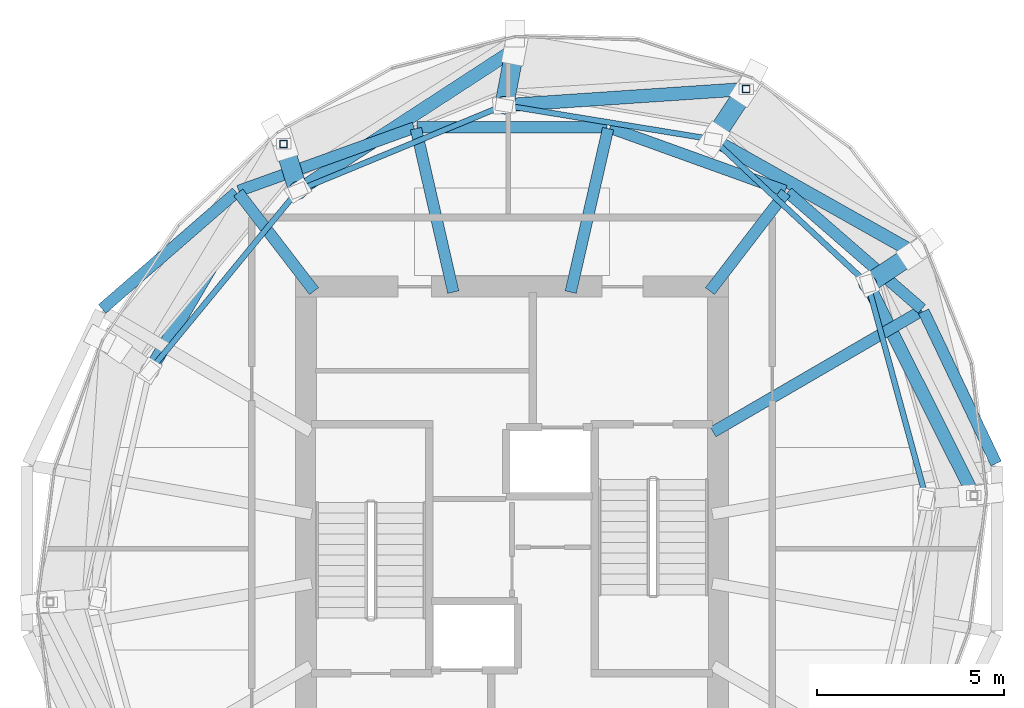
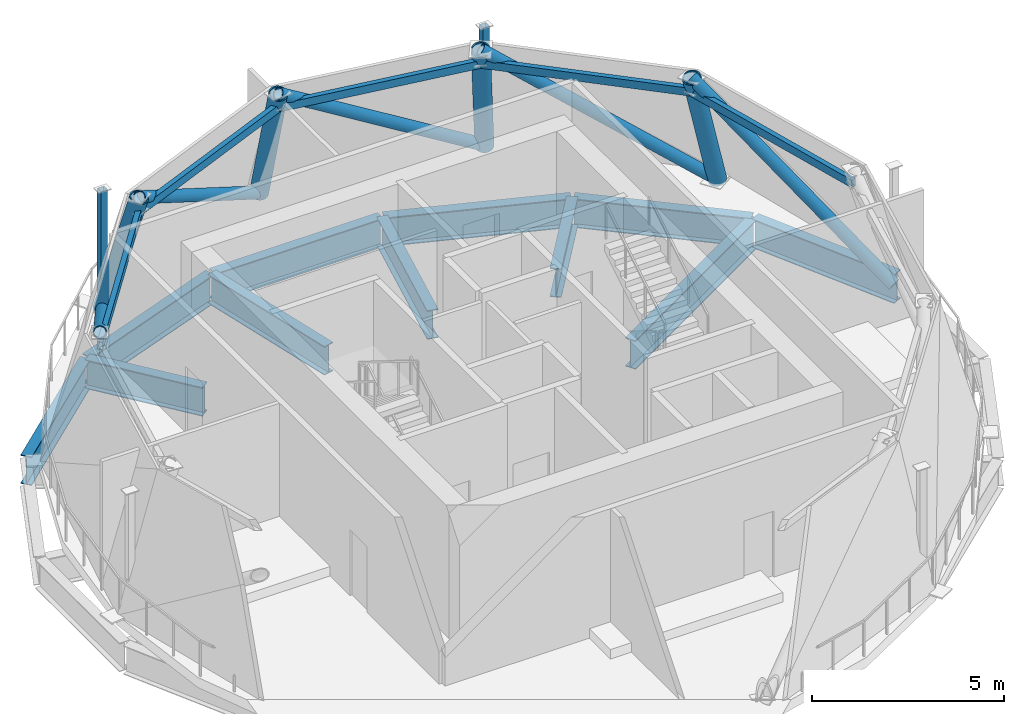
# One storey, part 2 of 7: 16 members, 11 beams.
"""IFC4 building model written with IfcOpenShell, lengths in metres."""

from ifc_helpers import new_model, si_unit, direction, frame, origin, origin_2d, place, context, subcontext, project, spatial, hollow_rectangle, hollow_circle, i_section, extrude, material, material_profile, profile_set, type_object, element, save


model = new_model("IFC4")

# Units and contexts
model_context = context("Model", 3, precision=1e-05, world=origin(), true_north=direction((0.0, 1.0)))
body_context = subcontext(model_context, "Body", "Model", "MODEL_VIEW")
ifc_project = project(units=[si_unit("LENGTHUNIT", "METRE"), si_unit("AREAUNIT", "SQUARE_METRE"), si_unit("VOLUMEUNIT", "CUBIC_METRE"), si_unit("PLANEANGLEUNIT", "RADIAN"), si_unit("MASSUNIT", "GRAM", prefix="KILO")], contexts=[model_context])

# Site, building, storey
site_placement = place(None, origin())
site = spatial("IfcSite", under=ifc_project, at=site_placement, CompositionType="ELEMENT")
building_placement = place(site_placement, origin())
building = spatial("IfcBuilding", under=site, at=building_placement, Name="Veldorim Arch Residences", CompositionType="ELEMENT")
storey_placement = place(building_placement, frame((0.0, 0.0, 251.0400390625)))
storey = spatial("IfcBuildingStorey", under=building, at=storey_placement, Name="L75", CompositionType="ELEMENT", Elevation=251.0400390625)

# Members
ifc_material_1 = material(Name="Steel S460", Category="steel")
ifc_material_profile_1 = material_profile(ifc_material_1, hollow_circle(Radius=0.177734375, WallThickness=0.02490234375, at=origin_2d()), Name="CHS355.6x25")
ifc_profile_set_1 = profile_set([ifc_material_profile_1], Name="Steel S460")
member_type_1 = type_object("IfcMemberType", Name="Crown Diagrid CHS355.6x25", PredefinedType="STRUT", material=ifc_profile_set_1)
member_1_placement = place(storey_placement, frame((38.256103515625, 36.278076171875, 0.0), z_axis=(-0.839575217455, -0.0564748069, 0.540299963373), x_axis=(0.067114264156, -0.997745295928, 0.0)))
element("IfcMember", 1, at=member_1_placement, inside=storey, type_object=member_type_1, Name="L75 Crown Diagrid diagrid brace 01", PredefinedType="STRUT", context=body_context, shape_type="SweptSolid", body=[
    extrude(hollow_circle(Radius=0.177734375, WallThickness=0.02490234375, at=origin_2d()), origin(), (0.0, 0.0, 1.0), 7.69921875),
])
member_2_placement = place(storey_placement, frame((32.07861328125, 37.340576171875, 0.0), z_axis=(-0.718023965014, -0.467413231535, 0.515719358423), x_axis=(0.545560663654, -0.838071334836, 0.0)))
element("IfcMember", 2, at=member_2_placement, inside=storey, type_object=member_type_1, Name="L75 Crown Diagrid diagrid brace 02", PredefinedType="STRUT", context=body_context, shape_type="SweptSolid", body=[
    extrude(hollow_circle(Radius=0.177734375, WallThickness=0.02490234375, at=origin_2d()), origin(), (0.0, 0.0, 1.0), 8.066162109375),
])
member_3_placement = place(storey_placement, frame((25.89990234375, 34.81591796875, 0.0), z_axis=(-0.437318733251, -0.741554741246, 0.508771944276), x_axis=(0.861370183832, -0.507977761723, 0.0)))
element("IfcMember", 3, at=member_3_placement, inside=storey, type_object=member_type_1, Name="L75 Crown Diagrid diagrid brace 03", PredefinedType="STRUT", context=body_context, shape_type="SweptSolid", body=[
    extrude(hollow_circle(Radius=0.177734375, WallThickness=0.02490234375, at=origin_2d()), origin(), (0.0, 0.0, 1.0), 8.17626953125),
])
member_4_placement = place(storey_placement, frame((44.335693359375, 25.42236328125, 0.0), z_axis=(-0.374609822945, 0.746736009212, 0.549593316097), x_axis=(-0.893831825321, -0.448402350623, 0.0)))
element("IfcMember", 4, at=member_4_placement, inside=storey, type_object=member_type_1, Name="L75 Crown Diagrid diagrid brace 11", PredefinedType="STRUT", context=body_context, shape_type="SweptSolid", body=[
    extrude(hollow_circle(Radius=0.177734375, WallThickness=0.02490234375, at=origin_2d()), origin(), (0.0, 0.0, 1.0), 7.569091796875),
])
member_5_placement = place(storey_placement, frame((42.74658203125, 31.90478515625, 0.0), z_axis=(-0.722502643959, 0.406836275155, 0.558993895038), x_axis=(-0.490653793986, -0.871354608898, 0.0)))
element("IfcMember", 5, at=member_5_placement, inside=storey, type_object=member_type_1, Name="L75 Crown Diagrid diagrid brace 12", PredefinedType="STRUT", context=body_context, shape_type="SweptSolid", body=[
    extrude(hollow_circle(Radius=0.177734375, WallThickness=0.02490234375, at=origin_2d()), origin(), (0.0, 0.0, 1.0), 7.44189453125),
])
ifc_material_2 = material(Name="Steel S460", Category="steel")
ifc_material_profile_2 = material_profile(ifc_material_2, hollow_circle(Radius=0.25390625, WallThickness=0.034912109375, at=origin_2d()), Name="CHS508x35")
ifc_profile_set_2 = profile_set([ifc_material_profile_2], Name="Steel S460")
member_type_2 = type_object("IfcMemberType", Name="Crown Diagrid CHS508x35", PredefinedType="BRACE", material=ifc_profile_set_2)
member_6_placement = place(storey_placement, frame((38.256103515625, 36.278076171875, 0.0), z_axis=(-0.19865850046, -0.301654450286, 0.932490961252), x_axis=(0.835160679729, -0.550006035453, 0.0)))
element("IfcMember", 6, at=member_6_placement, inside=storey, type_object=member_type_2, Name="L75 Crown Diagrid tapering rib 01", PredefinedType="BRACE", context=body_context, shape_type="SweptSolid", body=[
    extrude(hollow_circle(Radius=0.25390625, WallThickness=0.034912109375, at=origin_2d()), origin(), (0.0, 0.0, 1.0), 4.461181640625),
])
member_7_placement = place(storey_placement, frame((32.07861328125, 37.340576171875, 0.0), z_axis=(-0.064693311534, -0.337959181977, 0.938934697815), x_axis=(0.982167148307, -0.188009820987, 0.0)))
element("IfcMember", 7, at=member_7_placement, inside=storey, type_object=member_type_2, Name="L75 Crown Diagrid tapering rib 02", PredefinedType="BRACE", context=body_context, shape_type="SweptSolid", body=[
    extrude(hollow_circle(Radius=0.25390625, WallThickness=0.034912109375, at=origin_2d()), origin(), (0.0, 0.0, 1.0), 4.430419921875),
])
member_8_placement = place(storey_placement, frame((25.89990234375, 34.81591796875, 0.0), z_axis=(0.08876103006, -0.285715315688, 0.954195073307), x_axis=(0.954978222575, 0.296675908033, 0.0)))
element("IfcMember", 8, at=member_8_placement, inside=storey, type_object=member_type_2, Name="L75 Crown Diagrid tapering rib 03", PredefinedType="BRACE", context=body_context, shape_type="SweptSolid", body=[
    extrude(hollow_circle(Radius=0.25390625, WallThickness=0.034912109375, at=origin_2d()), origin(), (0.0, 0.0, 1.0), 4.359619140625),
])
member_9_placement = place(storey_placement, frame((42.74658203125, 31.90478515625, 0.0), z_axis=(-0.281895659201, -0.187801593916, 0.940885433326), x_axis=(0.554436825685, -0.832225814502, 0.0)))
element("IfcMember", 9, at=member_9_placement, inside=storey, type_object=member_type_2, Name="L75 Crown Diagrid tapering rib 12", PredefinedType="BRACE", context=body_context, shape_type="SweptSolid", body=[
    extrude(hollow_circle(Radius=0.25390625, WallThickness=0.034912109375, at=origin_2d()), origin(), (0.0, 0.0, 1.0), 4.42138671875),
])

# Beams
ifc_material_3 = material(Name="Steel S355", Category="steel")
ifc_material_profile_3 = material_profile(ifc_material_3, i_section(OverallWidth=0.305419921875, OverallDepth=0.91845703125, WebThickness=0.017333984375, FlangeThickness=0.02783203125, at=origin_2d()), Name="UB914x305x253")
ifc_profile_set_3 = profile_set([ifc_material_profile_3], Name="Steel S355")
beam_type = type_object("IfcBeamType", Name="Structural Steel GIRDER UB914x305x253", PredefinedType="USERDEFINED", material=ifc_profile_set_3)
beam_1_placement = place(storey_placement, frame((44.92919921875, 26.275634765625, -0.789306640625), z_axis=(-0.429979872273, 0.902838473615, 0.0), x_axis=(-0.902838473615, -0.429979872273, 0.0)))
element("IfcBeam", 10, at=beam_1_placement, inside=storey, type_object=beam_type, Name="L75 crown perimeter transfer ring girder 01", ObjectType="GIRDER", PredefinedType="USERDEFINED", context=body_context, shape_type="SweptSolid", body=[
    extrude(i_section(OverallWidth=0.305419921875, OverallDepth=0.91845703125, WebThickness=0.017333984375, FlangeThickness=0.02783203125, at=origin_2d()), origin(), (0.0, 0.0, 1.0), 4.503662109375),
])
beam_2_placement = place(storey_placement, frame((42.9453125, 30.404052734375, -0.789306640625), z_axis=(-0.754542402207, 0.656251295825, 0.0), x_axis=(-0.656251295825, -0.754542402207, 0.0)))
element("IfcBeam", 11, at=beam_2_placement, inside=storey, type_object=beam_type, Name="L75 crown perimeter transfer ring girder 02", ObjectType="GIRDER", PredefinedType="USERDEFINED", context=body_context, shape_type="SweptSolid", body=[
    extrude(i_section(OverallWidth=0.305419921875, OverallDepth=0.91845703125, WebThickness=0.017333984375, FlangeThickness=0.02783203125, at=origin_2d()), origin(), (0.0, 0.0, 1.0), 4.74658203125),
])
beam_3_placement = place(storey_placement, frame((37.370361328125, 27.12060546875, -0.789306640625), z_axis=(0.864600984746, 0.502459090053, 0.0), x_axis=(-0.502459090053, 0.864600984746, 0.0)))
element("IfcBeam", 12, at=beam_3_placement, inside=storey, type_object=beam_type, Name="L75 crown rib base transfer girder 02", ObjectType="GIRDER", PredefinedType="USERDEFINED", context=body_context, shape_type="SweptSolid", body=[
    extrude(i_section(OverallWidth=0.305419921875, OverallDepth=0.91845703125, WebThickness=0.017333984375, FlangeThickness=0.02783203125, at=origin_2d()), origin(), (0.0, 0.0, 1.0), 6.44287109375),
])
beam_4_placement = place(storey_placement, frame((39.2958984375, 33.558837890625, -0.789306640625), z_axis=(-0.940817364479, 0.338913981261, 0.0), x_axis=(-0.338913981261, -0.940817364479, 0.0)))
element("IfcBeam", 13, at=beam_4_placement, inside=storey, type_object=beam_type, Name="L75 crown perimeter transfer ring girder 03", ObjectType="GIRDER", PredefinedType="USERDEFINED", context=body_context, shape_type="SweptSolid", body=[
    extrude(i_section(OverallWidth=0.305419921875, OverallDepth=0.91845703125, WebThickness=0.017333984375, FlangeThickness=0.02783203125, at=origin_2d()), origin(), (0.0, 0.0, 1.0), 4.977783203125),
])
beam_5_placement = place(storey_placement, frame((37.28662109375, 30.881103515625, -0.789306640625), z_axis=(0.609220183268, 0.793001114942, 0.0), x_axis=(-0.793001114942, 0.609220183268, 0.0)))
element("IfcBeam", 14, at=beam_5_placement, inside=storey, type_object=beam_type, Name="L75 crown rib base transfer girder 03", ObjectType="GIRDER", PredefinedType="USERDEFINED", context=body_context, shape_type="SweptSolid", body=[
    extrude(i_section(OverallWidth=0.305419921875, OverallDepth=0.91845703125, WebThickness=0.017333984375, FlangeThickness=0.02783203125, at=origin_2d()), origin(), (0.0, 0.0, 1.0), 3.31982421875),
])
beam_6_placement = place(storey_placement, frame((34.53515625, 35.259521484375, -0.789306640625), z_axis=(-1.0, 0.0, 0.0), x_axis=(0.0, -1.0, 0.0)))
element("IfcBeam", 15, at=beam_6_placement, inside=storey, type_object=beam_type, Name="L75 crown perimeter transfer ring girder 04", ObjectType="GIRDER", PredefinedType="USERDEFINED", context=body_context, shape_type="SweptSolid", body=[
    extrude(i_section(OverallWidth=0.305419921875, OverallDepth=0.91845703125, WebThickness=0.017333984375, FlangeThickness=0.02783203125, at=origin_2d()), origin(), (0.0, 0.0, 1.0), 5.0703125),
])
beam_7_placement = place(storey_placement, frame((33.567626953125, 30.853759765625, -0.789306640625), z_axis=(0.222968348227, 0.974825684771, 0.0), x_axis=(-0.974825684771, 0.222968348227, 0.0)))
element("IfcBeam", 16, at=beam_7_placement, inside=storey, type_object=beam_type, Name="L75 crown rib base transfer girder 04", ObjectType="GIRDER", PredefinedType="USERDEFINED", context=body_context, shape_type="SweptSolid", body=[
    extrude(i_section(OverallWidth=0.305419921875, OverallDepth=0.91845703125, WebThickness=0.017333984375, FlangeThickness=0.02783203125, at=origin_2d()), origin(), (0.0, 0.0, 1.0), 4.4794921875),
])
beam_8_placement = place(storey_placement, frame((29.38720703125, 35.245849609375, -0.789306640625), z_axis=(-0.940817364479, -0.338913981261, 0.0), x_axis=(0.338913981261, -0.940817364479, 0.0)))
element("IfcBeam", 17, at=beam_8_placement, inside=storey, type_object=beam_type, Name="L75 crown perimeter transfer ring girder 05", ObjectType="GIRDER", PredefinedType="USERDEFINED", context=body_context, shape_type="SweptSolid", body=[
    extrude(i_section(OverallWidth=0.305419921875, OverallDepth=0.91845703125, WebThickness=0.017333984375, FlangeThickness=0.02783203125, at=origin_2d()), origin(), (0.0, 0.0, 1.0), 4.977783203125),
])
beam_9_placement = place(storey_placement, frame((30.432373046875, 30.853759765625, -0.789306640625), z_axis=(-0.222968348227, 0.974825684771, 0.0), x_axis=(-0.974825684771, -0.222968348227, 0.0)))
element("IfcBeam", 18, at=beam_9_placement, inside=storey, type_object=beam_type, Name="L75 crown rib base transfer girder 05", ObjectType="GIRDER", PredefinedType="USERDEFINED", context=body_context, shape_type="SweptSolid", body=[
    extrude(i_section(OverallWidth=0.305419921875, OverallDepth=0.91845703125, WebThickness=0.017333984375, FlangeThickness=0.02783203125, at=origin_2d()), origin(), (0.0, 0.0, 1.0), 4.4794921875),
])
beam_10_placement = place(storey_placement, frame((24.63623046875, 33.51904296875, -0.789306640625), z_axis=(-0.754542402207, -0.656251295825, 0.0), x_axis=(0.656251295825, -0.754542402207, 0.0)))
element("IfcBeam", 19, at=beam_10_placement, inside=storey, type_object=beam_type, Name="L75 crown perimeter transfer ring girder 06", ObjectType="GIRDER", PredefinedType="USERDEFINED", context=body_context, shape_type="SweptSolid", body=[
    extrude(i_section(OverallWidth=0.305419921875, OverallDepth=0.91845703125, WebThickness=0.017333984375, FlangeThickness=0.02783203125, at=origin_2d()), origin(), (0.0, 0.0, 1.0), 4.74658203125),
])
beam_11_placement = place(storey_placement, frame((26.71337890625, 30.881103515625, -0.789306640625), z_axis=(-0.609220183268, 0.793001114942, 0.0), x_axis=(-0.793001114942, -0.609220183268, 0.0)))
element("IfcBeam", 20, at=beam_11_placement, inside=storey, type_object=beam_type, Name="L75 crown rib base transfer girder 06", ObjectType="GIRDER", PredefinedType="USERDEFINED", context=body_context, shape_type="SweptSolid", body=[
    extrude(i_section(OverallWidth=0.305419921875, OverallDepth=0.91845703125, WebThickness=0.017333984375, FlangeThickness=0.02783203125, at=origin_2d()), origin(), (0.0, 0.0, 1.0), 3.31982421875),
])

# Members
ifc_material_4 = material(Name="Steel S460", Category="steel")
ifc_material_profile_4 = material_profile(ifc_material_4, hollow_rectangle(XDim=0.199951171875, YDim=0.199951171875, WallThickness=0.012451171875, at=origin_2d()), Name="SHS200x200x12.5")
ifc_profile_set_4 = profile_set([ifc_material_profile_4], Name="Steel S460")
member_type_3 = type_object("IfcMemberType", Name="Truss Post SHS200x200x12.5", PredefinedType="POST", material=ifc_profile_set_4)
for number, where, z_axis, x_axis, name in (
    (21, (38.256103515625, 36.278076171875, 0.0), (0.0, 0.0, 1.0), (1.0, 0.0, 0.0), "L75 crown interior support post 01"),
    (22, (25.89990234375, 34.81591796875, 0.0), (0.0, 0.0, 1.0), (1.0, 0.0, 0.0), "L75 crown interior support post 02"),
):
    element("IfcMember", number, at=place(storey_placement, frame(where, z_axis=z_axis, x_axis=x_axis)), inside=storey, type_object=member_type_3, Name=name, PredefinedType="POST", context=body_context, shape_type="SweptSolid", body=[
        extrude(hollow_rectangle(XDim=0.199951171875, YDim=0.199951171875, WallThickness=0.012451171875, at=origin_2d()), origin(), (0.0, 0.0, 1.0), 3.81005859375),
    ])
ifc_material_5 = material(Name="Steel S355", Category="steel")
ifc_material_profile_5 = material_profile(ifc_material_5, hollow_rectangle(XDim=0.14990234375, YDim=0.25, WallThickness=0.012451171875, at=origin_2d()), Name="RHS250x150x12.5")
ifc_profile_set_5 = profile_set([ifc_material_profile_5], Name="Steel S355")
member_type_4 = type_object("IfcMemberType", Name="Truss Purlin RHS250x150x12.5", PredefinedType="PURLIN", material=ifc_profile_set_5)
member_10_placement = place(storey_placement, frame((37.369873046875, 34.932373046875, 3.739990234375), z_axis=(-0.986926851751, 0.161168822335, 0.0), x_axis=(-0.161168822335, -0.986926851751, 0.0)))
element("IfcMember", 23, at=member_10_placement, inside=storey, type_object=member_type_4, Name="L75 crown ring purlin 01", PredefinedType="PURLIN", context=body_context, shape_type="SweptSolid", body=[
    extrude(hollow_rectangle(XDim=0.14990234375, YDim=0.25, WallThickness=0.012451171875, at=origin_2d()), origin(), (0.0, 0.0, 1.0), 5.65185546875),
])
member_11_placement = place(storey_placement, frame((31.7919921875, 35.84326171875, 3.739990234375), z_axis=(-0.92431518441, -0.381629977687, 0.0), x_axis=(0.381629977687, -0.92431518441, 0.0)))
element("IfcMember", 24, at=member_11_placement, inside=storey, type_object=member_type_4, Name="L75 crown ring purlin 02", PredefinedType="PURLIN", context=body_context, shape_type="SweptSolid", body=[
    extrude(hollow_rectangle(XDim=0.14990234375, YDim=0.25, WallThickness=0.012451171875, at=origin_2d()), origin(), (0.0, 0.0, 1.0), 5.955810546875),
])
member_12_placement = place(storey_placement, frame((26.286865234375, 33.5703125, 3.739990234375), z_axis=(-0.635247572259, -0.772308566532, 0.0), x_axis=(0.772308566532, -0.635247572259, 0.0)))
element("IfcMember", 25, at=member_12_placement, inside=storey, type_object=member_type_4, Name="L75 crown ring purlin 03", PredefinedType="PURLIN", context=body_context, shape_type="SweptSolid", body=[
    extrude(hollow_rectangle(XDim=0.14990234375, YDim=0.25, WallThickness=0.012451171875, at=origin_2d()), origin(), (0.0, 0.0, 1.0), 6.238037109375),
])
member_13_placement = place(storey_placement, frame((43.06640625, 25.328369140625, 3.739990234375), z_axis=(-0.262968252239, 0.964804487093, 0.0), x_axis=(-0.964804487093, -0.262968252239, 0.0)))
element("IfcMember", 26, at=member_13_placement, inside=storey, type_object=member_type_4, Name="L75 crown ring purlin 11", PredefinedType="PURLIN", context=body_context, shape_type="SweptSolid", body=[
    extrude(hollow_rectangle(XDim=0.14990234375, YDim=0.25, WallThickness=0.012451171875, at=origin_2d()), origin(), (0.0, 0.0, 1.0), 5.955810546875),
])
member_14_placement = place(storey_placement, frame((41.500244140625, 31.074462890625, 3.739990234375), z_axis=(-0.730799526067, 0.682592156928, 0.0), x_axis=(-0.682592156928, -0.730799526067, 0.0)))
element("IfcMember", 27, at=member_14_placement, inside=storey, type_object=member_type_4, Name="L75 crown ring purlin 12", PredefinedType="PURLIN", context=body_context, shape_type="SweptSolid", body=[
    extrude(hollow_rectangle(XDim=0.14990234375, YDim=0.25, WallThickness=0.012451171875, at=origin_2d()), origin(), (0.0, 0.0, 1.0), 5.65185546875),
])

save(model, "model.ifc")
